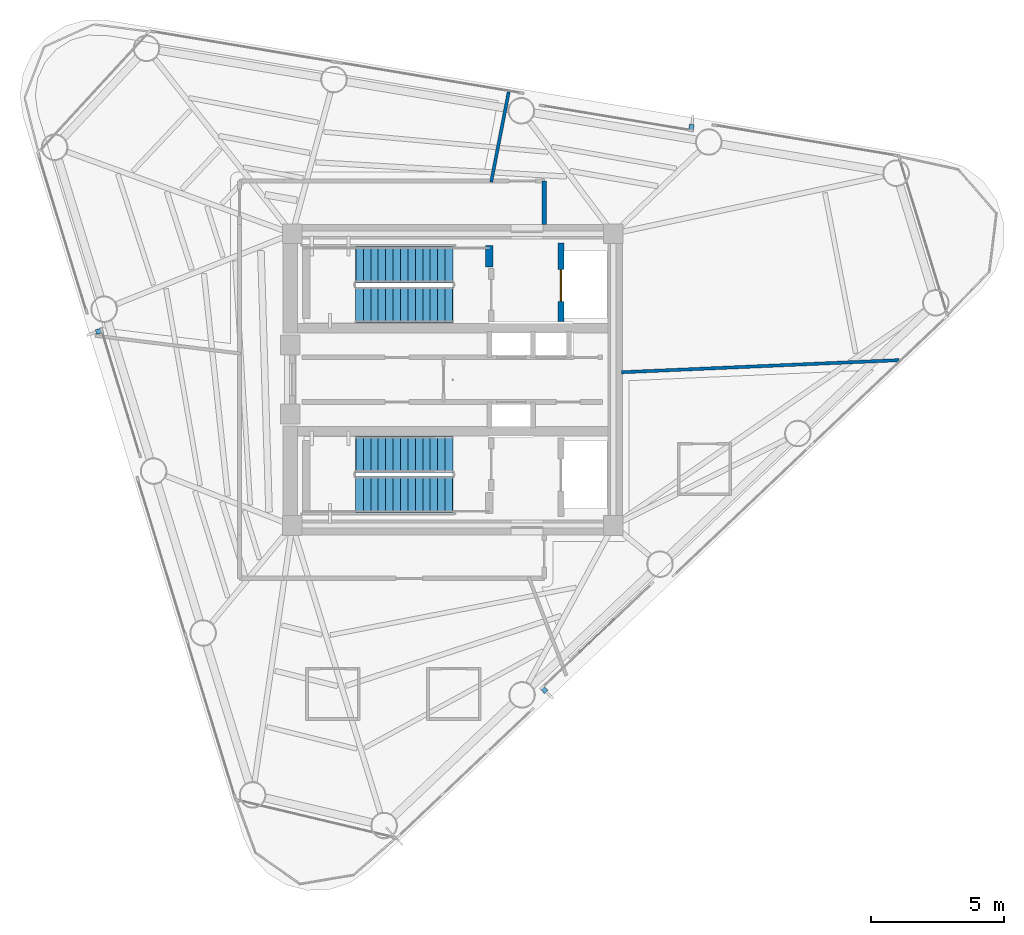
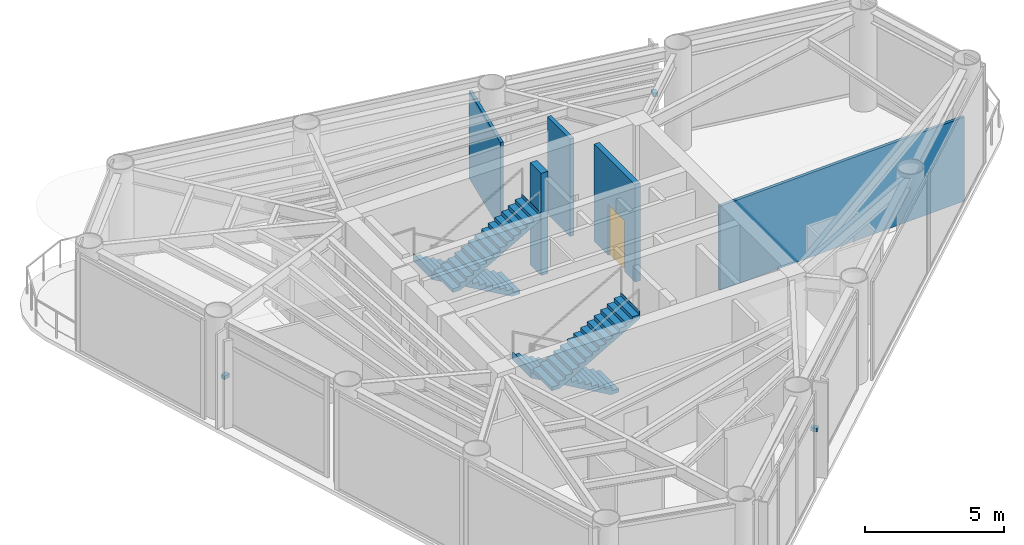
# One storey, part 7 of 11: 5 walls, 4 stair flights, 3 discrete accessories, 1 door, 1 opening, 2 elements without a shape of their own.
"""IFC4 building model written with IfcOpenShell, lengths in metres."""

import ifcopenshell
import ifcopenshell.guid

model = None  # the IFC model being written
_history = None  # IfcOwnerHistory: only IFC2X3 demands one
_inside = {}  # id of a spatial element -> (the spatial element, [elements in it])
_under = {}  # id of a project, library or spatial element -> (it, [spatial elements below it])
_declared = {}  # id of a project -> (the project, [libraries it declares])
_typed = {}  # id of a type object -> (the type object, [elements of that type])
_made_of = {}  # id of a material, layer set ... -> (it, [elements and type objects made of it])


def new_model(schema):
    """Start an empty IFC model of exactly this schema.

    Asked for "IFC4X3", IfcOpenShell would pick the latest addendum, in which some entities
    have other attributes; the version numbers below select the first issue.
    IFC2X3 requires an IfcOwnerHistory on every rooted entity: one is made here for all.
    """
    global model, _history
    if schema == "IFC4X3":
        model = ifcopenshell.file(schema_version=(4, 3, 0, 0))
    else:
        model = ifcopenshell.file(schema=schema)
    _inside.clear()
    _under.clear()
    _declared.clear()
    _typed.clear()
    _made_of.clear()
    _history = None
    if model.schema == "IFC2X3":
        org = make("IfcOrganization", Name="unknown")
        user = make(
            "IfcPersonAndOrganization",
            ThePerson=make("IfcPerson", FamilyName="unknown"),
            TheOrganization=org,
        )
        app = make(
            "IfcApplication",
            ApplicationDeveloper=org,
            Version="unknown",
            ApplicationFullName="unknown",
            ApplicationIdentifier="unknown",
        )
        _history = make(
            "IfcOwnerHistory",
            OwningUser=user,
            OwningApplication=app,
            ChangeAction="ADDED",
            CreationDate=0,
        )
    return model


def make(cls, **values):
    """One entity of the class cls with the attributes given. An attribute that is None is left unset."""
    return model.create_entity(
        cls, **{name: value for name, value in values.items() if value is not None}
    )


def rooted(cls, **values):
    """An entity with a GlobalId (a new one), such as an element, a storey or a relation."""
    return make(cls, GlobalId=ifcopenshell.guid.new(), OwnerHistory=_history, **values)


def si_unit(unit_type, name, prefix=None):
    """IfcSIUnit, for example si_unit("LENGTHUNIT", "METRE", prefix="MILLI")."""
    return make("IfcSIUnit", UnitType=unit_type, Prefix=prefix, Name=name)


def assignment(units):
    """IfcUnitAssignment: the units of a project."""
    return None if units is None else make("IfcUnitAssignment", Units=units)


def point(xyz):
    """IfcCartesianPoint."""
    return None if xyz is None else make("IfcCartesianPoint", Coordinates=xyz)


def direction(xyz):
    """IfcDirection."""
    return None if xyz is None else make("IfcDirection", DirectionRatios=xyz)


def frame(location, z_axis=None, x_axis=None):
    """IfcAxis2Placement3D, a coordinate frame: its origin and axes. An axis left out is left unset."""
    return make(
        "IfcAxis2Placement3D",
        Location=point(location),
        Axis=direction(z_axis),
        RefDirection=direction(x_axis),
    )


def frame_2d(location, x_axis=None):
    """IfcAxis2Placement2D, a coordinate frame in the plane: its origin and x axis."""
    return make(
        "IfcAxis2Placement2D", Location=point(location), RefDirection=direction(x_axis)
    )


def origin():
    """The frame at (0, 0, 0) with its axes left unset."""
    return frame((0.0, 0.0, 0.0))


def origin_2d():
    """The frame at (0, 0) in the plane with its x axis left unset."""
    return frame_2d((0.0, 0.0))


def place(relative_to, where):
    """IfcLocalPlacement: puts the frame where relative to a parent placement (None: the world)."""
    return make(
        "IfcLocalPlacement", PlacementRelTo=relative_to, RelativePlacement=where
    )


def context(
    kind, dimensions, precision=None, world=None, true_north=None, identifier=None
):
    """IfcGeometricRepresentationContext, for example the 3D "Model" context."""
    return make(
        "IfcGeometricRepresentationContext",
        ContextIdentifier=identifier,
        ContextType=kind,
        CoordinateSpaceDimension=dimensions,
        Precision=precision,
        WorldCoordinateSystem=world,
        TrueNorth=true_north,
    )


def subcontext(parent, identifier, kind, view, scale=None):
    """IfcGeometricRepresentationSubContext, for example "Body" below "Model"."""
    return make(
        "IfcGeometricRepresentationSubContext",
        ContextIdentifier=identifier,
        ContextType=kind,
        ParentContext=parent,
        TargetScale=scale,
        TargetView=view,
    )


def project(units=None, contexts=None):
    """IfcProject with its units and contexts."""
    return rooted(
        "IfcProject",
        Name="project",
        RepresentationContexts=contexts,
        UnitsInContext=assignment(units),
    )


def spatial(cls, under=None, at=None, **own):
    """A site, building, storey or space (cls), placed at a placement, below another one or the project."""
    s = rooted(cls, ObjectPlacement=at, **own)
    if under is not None:
        _under.setdefault(under.id(), (under, []))[1].append(s)
    return s


def polyline(points):
    """IfcPolyline through the points."""
    return make("IfcPolyline", Points=[point(p) for p in points])


def profile(cls, at=None, kind="AREA", **sizes):
    """A parametric profile (cls). Its sizes go by their IFC names, for example OverallWidth=200.0."""
    return make(cls, ProfileType=kind, Position=at, **sizes)


def rectangle(**sizes):
    """IfcRectangleProfileDef."""
    return profile("IfcRectangleProfileDef", **sizes)


def outline(outer, holes=None, kind="AREA"):
    """IfcArbitraryClosedProfileDef: a profile drawn as a closed curve; with holes, ...WithVoids."""
    if holes is None:
        return make("IfcArbitraryClosedProfileDef", ProfileType=kind, OuterCurve=outer)
    return make(
        "IfcArbitraryProfileDefWithVoids",
        ProfileType=kind,
        OuterCurve=outer,
        InnerCurves=holes,
    )


def extrude(swept, where, along, depth):
    """IfcExtrudedAreaSolid: the profile swept, set in the frame where, extruded along a direction by depth."""
    return make(
        "IfcExtrudedAreaSolid",
        SweptArea=swept,
        Position=where,
        ExtrudedDirection=direction(along),
        Depth=depth,
    )


def shape(context_of_items, identifier, shape_type, items):
    """IfcShapeRepresentation: the items that make up one representation, for example the "Body"."""
    return make(
        "IfcShapeRepresentation",
        ContextOfItems=context_of_items,
        RepresentationIdentifier=identifier,
        RepresentationType=shape_type,
        Items=items,
    )


def source(mapping_origin, context_of_items, identifier, shape_type, items):
    """IfcRepresentationMap: a shape defined once, which mapped items show again and again."""
    return make(
        "IfcRepresentationMap",
        MappingOrigin=mapping_origin,
        MappedRepresentation=shape(context_of_items, identifier, shape_type, items),
    )


def transform(
    local_origin,
    x_axis=None,
    y_axis=None,
    z_axis=None,
    scale=None,
    scale2=None,
    scale3=None,
    uniform=True,
):
    """IfcCartesianTransformationOperator3D, or its non-uniform kind. x_axis, y_axis, z_axis: its Axis1, 2, 3."""
    if uniform:
        return make(
            "IfcCartesianTransformationOperator3D",
            Axis1=direction(x_axis),
            Axis2=direction(y_axis),
            LocalOrigin=point(local_origin),
            Scale=scale,
            Axis3=direction(z_axis),
        )
    return make(
        "IfcCartesianTransformationOperator3DnonUniform",
        Axis1=direction(x_axis),
        Axis2=direction(y_axis),
        LocalOrigin=point(local_origin),
        Scale=scale,
        Axis3=direction(z_axis),
        Scale2=scale2,
        Scale3=scale3,
    )


def mapped(mapping_source, mapping_target):
    """IfcMappedItem: shows the shape of a source again, moved by a transform."""
    return make(
        "IfcMappedItem", MappingSource=mapping_source, MappingTarget=mapping_target
    )


def material(Name=None, Category=None):
    """IfcMaterial."""
    return make("IfcMaterial", Name=Name, Category=Category)


def layer(
    of_material, thickness, ventilated=None, Name=None, Category=None, Priority=None
):
    """IfcMaterialLayer: one layer of a wall or slab, of a material (None: an air gap)."""
    return make(
        "IfcMaterialLayer",
        Material=of_material,
        LayerThickness=thickness,
        IsVentilated=ventilated,
        Name=Name,
        Category=Category,
        Priority=Priority,
    )


def layer_set(layers, Name=None):
    """IfcMaterialLayerSet."""
    return make("IfcMaterialLayerSet", MaterialLayers=layers, LayerSetName=Name)


def made_of(thing, what):
    """Note that an element or type object is made of a material, layer set ...; save() writes the relation."""
    if what is not None:
        _made_of.setdefault(what.id(), (what, []))[1].append(thing)
    return thing


def type_object(cls, material=None, **own):
    """A type object (cls), such as IfcWallType, which elements share."""
    return made_of(rooted(cls, **own), material)


def element(
    cls,
    number,
    at=None,
    inside=None,
    cuts=None,
    type_object=None,
    material=None,
    context=None,
    identifier="Body",
    shape_type=None,
    held_by="IfcProductDefinitionShape",
    body=None,
    shapes=None,
    **own,
):
    """One element of the class cls, such as IfcWall. Its Tag is "e" and its number.

    at: its placement. inside: the storey or other place that contains it. cuts: it is an
    opening in that element (IfcRelVoidsElement). A single representation is given by context,
    identifier, shape_type and body (its items); several are given by shapes. held_by: the class
    of the entity that holds the representations. save() writes the other relations.
    """
    e = rooted(cls, Tag="e%d" % number, ObjectPlacement=at, **own)
    if body is not None:
        shapes = [shape(context, identifier, shape_type, body)]
    if shapes is not None:
        e.Representation = make(held_by, Representations=shapes)
    if inside is not None:
        _inside.setdefault(inside.id(), (inside, []))[1].append(e)
    if cuts is not None:
        rooted(
            "IfcRelVoidsElement", RelatingBuildingElement=cuts, RelatedOpeningElement=e
        )
    if type_object is not None:
        _typed.setdefault(type_object.id(), (type_object, []))[1].append(e)
    return made_of(e, material)


def fill(opening, filler):
    """IfcRelFillsElement: the door or window that sits in an opening."""
    return rooted(
        "IfcRelFillsElement",
        RelatingOpeningElement=opening,
        RelatedBuildingElement=filler,
    )


def aggregate(whole, parts):
    """IfcRelAggregates: a whole, such as a stair, and the parts it consists of."""
    return rooted("IfcRelAggregates", RelatingObject=whole, RelatedObjects=parts)


def save(model, path):
    """Write the relations noted so far, then the file.

    IfcRelAggregates (storeys below a building ...), IfcRelContainedInSpatialStructure (elements
    in a storey), IfcRelDefinesByType, IfcRelAssociatesMaterial and IfcRelDeclares: one each for
    every whole, place, type object, material and project.
    """
    for whole, parts in _under.values():
        aggregate(whole, parts)
    for where, things in _inside.values():
        rooted(
            "IfcRelContainedInSpatialStructure",
            RelatedElements=things,
            RelatingStructure=where,
        )
    for kind, things in _typed.values():
        rooted("IfcRelDefinesByType", RelatedObjects=things, RelatingType=kind)
    for what, things in _made_of.values():
        rooted("IfcRelAssociatesMaterial", RelatedObjects=things, RelatingMaterial=what)
    for by, libraries in _declared.values():
        rooted("IfcRelDeclares", RelatingContext=by, RelatedDefinitions=libraries)
    model.write(path)


model = new_model("IFC4")

# Units and contexts
model_context = context("Model", 3, precision=1e-05, world=origin(), true_north=direction((0.0, 1.0)))
body_context = subcontext(model_context, "Body", "Model", "MODEL_VIEW")
ifc_project = project(units=[si_unit("LENGTHUNIT", "METRE"), si_unit("AREAUNIT", "SQUARE_METRE"), si_unit("VOLUMEUNIT", "CUBIC_METRE"), si_unit("PLANEANGLEUNIT", "RADIAN"), si_unit("MASSUNIT", "GRAM", prefix="KILO")], contexts=[model_context])

# Site, building, storey
site_placement = place(None, origin())
site = spatial("IfcSite", under=ifc_project, at=site_placement, CompositionType="ELEMENT")
building_placement = place(site_placement, origin())
building = spatial("IfcBuilding", under=site, at=building_placement, Name="Yunling Apex Tower", CompositionType="ELEMENT")
storey_placement = place(building_placement, frame((0.0, 0.0, 224.14990234375)))
storey = spatial("IfcBuildingStorey", under=building, at=storey_placement, Name="L54", CompositionType="ELEMENT", Elevation=224.14990234375)

# Walls
ifc_material_1 = material(Name="Concrete C40", Category="concrete")
ifc_layer_1 = layer(ifc_material_1, 0.280029296875)
ifc_layer_set_1 = layer_set([ifc_layer_1], Name="Concrete C40")
wall_type_1 = type_object("IfcWallType", Name="WL-COR-8", PredefinedType="SHEAR", material=ifc_layer_set_1)
wall_1_placement = place(storey_placement, frame((1.3798828125, 4.25, 0.0), z_axis=(0.0, 0.0, 1.0), x_axis=(0.0, 1.0, 0.0)))
element("IfcWall", 1, at=wall_1_placement, inside=storey, type_object=wall_type_1, Name="L54 ST-1 East Landing Bearing Pier", PredefinedType="SHEAR", context=body_context, shape_type="SweptSolid", body=[
    extrude(rectangle(XDim=0.800048828125, YDim=0.280029296875, at=frame_2d((0.39990234375, 0.0))), origin(), (0.0, 0.0, 1.0), 4.5),
])
ifc_material_2 = material(Name="Gypsum board acoustic partition")
ifc_layer_2 = layer(ifc_material_2, 0.159912109375)
ifc_layer_set_2 = layer_set([ifc_layer_2], Name="Gypsum board acoustic partition")
wall_type_2 = type_object("IfcWallType", Name="WL-PRT-1", PredefinedType="PARTITIONING", material=ifc_layer_set_2)
wall_2_placement = place(storey_placement, frame((3.449951171875, 7.489990234375, 0.0), z_axis=(0.0, 0.0, 1.0), x_axis=(0.0, -1.0, 0.0)))
element("IfcWall", 2, at=wall_2_placement, inside=storey, type_object=wall_type_2, Name="WL-CORR-L54-04", PredefinedType="PARTITIONING", context=body_context, shape_type="SweptSolid", body=[
    extrude(rectangle(XDim=1.639892578125, YDim=0.159912109375, at=frame_2d((0.81982421875, 0.0))), origin(), (0.0, 0.0, 1.0), 4.300048828125),
])
ifc_layer_3 = layer(ifc_material_2, 0.1201171875)
ifc_layer_set_3 = layer_set([ifc_layer_3], Name="Gypsum board acoustic partition")
wall_type_3 = type_object("IfcWallType", Name="WL-PRT-3", PredefinedType="PARTITIONING", material=ifc_layer_set_3)
wall_3_placement = place(storey_placement, frame((6.360107421875, 0.277587890625, 0.0), z_axis=(0.0, 0.0, 1.0), x_axis=(0.999047873507, 0.043627358851, 0.0)))
element("IfcWall", 3, at=wall_3_placement, inside=storey, type_object=wall_type_3, Name="WL-RAD-L54-01", PredefinedType="PARTITIONING", context=body_context, shape_type="SweptSolid", body=[
    extrude(rectangle(XDim=10.475830078125, YDim=0.1201171875, at=frame_2d((5.23779296875, 0.0))), origin(), (0.0, 0.0, 1.0), 3.705078125),
])
wall_4_placement = place(storey_placement, frame((1.447998046875, 7.449951171875, 0.0), z_axis=(0.0, 0.0, 1.0), x_axis=(0.19085452876, 0.981618331558, 0.0)))
element("IfcWall", 4, at=wall_4_placement, inside=storey, type_object=wall_type_3, Name="WL-RAD-L54-02", PredefinedType="PARTITIONING", context=body_context, shape_type="SweptSolid", body=[
    extrude(rectangle(XDim=3.455078125, YDim=0.1201171875, at=frame_2d((1.7275390625, 0.0))), origin(), (0.0, 0.0, 1.0), 3.864990234375),
])

# Wall, opening, door
ifc_material_3 = material(Name="Autoclaved aerated concrete masonry", Category="masonry")
ifc_layer_4 = layer(ifc_material_3, 0.219970703125)
ifc_layer_set_4 = layer_set([ifc_layer_4], Name="Autoclaved aerated concrete masonry")
wall_type_4 = type_object("IfcWallType", Name="WL-SHF-1", PredefinedType="PLUMBINGWALL", material=ifc_layer_set_4)
wall_5_placement = place(storey_placement, frame((4.080078125, 2.199951171875, 0.0), z_axis=(0.0, 0.0, 1.0), x_axis=(0.0, 1.0, 0.0)))
wall_5 = element("IfcWall", 5, at=wall_5_placement, inside=storey, type_object=wall_type_4, Name="WL-FFL1-W-L54", PredefinedType="PLUMBINGWALL", context=body_context, shape_type="SweptSolid", body=[
    extrude(rectangle(XDim=2.949951171875, YDim=0.219970703125, at=frame_2d((1.47509765625, 0.0))), origin(), (0.0, 0.0, 1.0), 4.300048828125),
])
opening_placement = place(wall_5_placement, frame((0.75, 0.0, 0.0)))
opening = element("IfcOpeningElement", 6, at=opening_placement, cuts=wall_5, Name="Opening LD-FFL-1", PredefinedType="OPENING", context=body_context, shape_type="SweptSolid", body=[
    extrude(rectangle(XDim=1.199951171875, YDim=2.25, at=frame_2d((0.60009765625, 1.125))), frame((0.0, 0.1201171875, 0.0), z_axis=(0.0, -1.0, 0.0), x_axis=(1.0, 0.0, 0.0)), (0.0, 0.0, 1.0), 0.239990234375),
])
ifc_material_4 = material(Name="Steel Q355B", Category="steel")
door_type = type_object("IfcDoorType", Name="LD-FFL-1", OperationType="DOUBLE_DOOR_SLIDING", PredefinedType="DOOR", material=ifc_material_4)
door_placement = place(opening_placement, origin())
door = element("IfcDoor", 7, at=door_placement, inside=storey, type_object=door_type, Name="L54 Lift FFL-1 Landing Door", OperationType="DOUBLE_DOOR_SLIDING", OverallHeight=2.25, OverallWidth=1.199951171875, PredefinedType="DOOR", context=body_context, shape_type="SweptSolid", body=[
    extrude(rectangle(XDim=1.199951171875, YDim=2.25, at=frame_2d((0.60009765625, 1.125))), frame((0.0, 0.02490234375, 0.0), z_axis=(0.0, -1.0, 0.0), x_axis=(1.0, 0.0, 0.0)), (0.0, 0.0, 1.0), 0.050048828125),
])
fill(opening, door)

# Stair, stair flights
stair_type = type_object("IfcStairType", Name="ST-TWR-3", PredefinedType="HALF_TURN_STAIR", material=ifc_material_1)
stair_1_placement = place(storey_placement, origin())
stair_1 = element("IfcStair", 8, at=stair_1_placement, inside=storey, type_object=stair_type, Name="L54 North Core Smokeproof Exit Stair ST-1", PredefinedType="HALF_TURN_STAIR")
stair_flight_type = type_object("IfcStairFlightType", Name="SFL-TWR-3", PredefinedType="STRAIGHT", material=ifc_material_1)
stair_flight_1_placement = place(storey_placement, frame((-0.010009765625, 4.330078125, 0.0), z_axis=(0.0, 0.0, 1.0), x_axis=(-1.0, 0.0, 0.0)))
stair_flight_1 = element("IfcStairFlight", 9, at=stair_flight_1_placement, type_object=stair_flight_type, Name="ST-1 flight 1", NumberOfRisers=14, NumberOfTreads=13, PredefinedType="STRAIGHT", RiserHeight=0.160714286, TreadLength=0.28, context=body_context, shape_type="SweptSolid", body=[
    extrude(outline(polyline([(-0.011962890625, 0.0), (-0.011962890625, 0.16064453125), (0.0, 0.16064453125), (0.280029296875, 0.16064453125), (0.280029296875, 0.321533203125), (0.56005859375, 0.321533203125), (0.56005859375, 0.482177734375), (0.840087890625, 0.482177734375), (0.840087890625, 0.642822265625), (1.1201171875, 0.642822265625), (1.1201171875, 0.803466796875), (1.39990234375, 0.803466796875), (1.39990234375, 0.96435546875), (1.679931640625, 0.96435546875), (1.679931640625, 1.125), (1.9599609375, 1.125), (1.9599609375, 1.28564453125), (2.239990234375, 1.28564453125), (2.239990234375, 1.446533203125), (2.52001953125, 1.446533203125), (2.52001953125, 1.607177734375), (2.800048828125, 1.607177734375), (2.800048828125, 1.767822265625), (3.080078125, 1.767822265625), (3.080078125, 1.928466796875), (3.360107421875, 1.928466796875), (3.360107421875, 2.08935546875), (3.639892578125, 2.08935546875), (3.639892578125, 2.25), (3.652099609375, 2.25), (3.652099609375, 1.90478515625), (0.3212890625, 0.0), (-0.011962890625, 0.0)])), frame((0.0, 0.68017578125, 0.0), z_axis=(0.0, -1.0, 0.0), x_axis=(1.0, 0.0, 0.0)), (0.0, 0.0, 1.0), 1.360107421875),
])
stair_flight_2_placement = place(storey_placement, frame((-3.64990234375, 2.820068359375, 2.25), z_axis=(0.0, 0.0, 1.0), x_axis=(1.0, 0.0, 0.0)))
stair_flight_2 = element("IfcStairFlight", 10, at=stair_flight_2_placement, type_object=stair_flight_type, Name="ST-1 flight 2", NumberOfRisers=14, NumberOfTreads=13, PredefinedType="STRAIGHT", RiserHeight=0.160714286, TreadLength=0.28, context=body_context, shape_type="SweptSolid", body=[
    extrude(outline(polyline([(-0.011962890625, 0.0), (-0.011962890625, 0.16064453125), (0.0, 0.16064453125), (0.280029296875, 0.16064453125), (0.280029296875, 0.321533203125), (0.56005859375, 0.321533203125), (0.56005859375, 0.482177734375), (0.840087890625, 0.482177734375), (0.840087890625, 0.642822265625), (1.1201171875, 0.642822265625), (1.1201171875, 0.803466796875), (1.39990234375, 0.803466796875), (1.39990234375, 0.96435546875), (1.679931640625, 0.96435546875), (1.679931640625, 1.125), (1.9599609375, 1.125), (1.9599609375, 1.28564453125), (2.239990234375, 1.28564453125), (2.239990234375, 1.446533203125), (2.52001953125, 1.446533203125), (2.52001953125, 1.607177734375), (2.800048828125, 1.607177734375), (2.800048828125, 1.767822265625), (3.080078125, 1.767822265625), (3.080078125, 1.928466796875), (3.360107421875, 1.928466796875), (3.360107421875, 2.08935546875), (3.639892578125, 2.08935546875), (3.639892578125, 2.25), (3.652099609375, 2.25), (3.652099609375, 1.90478515625), (0.3212890625, 0.0), (-0.011962890625, 0.0)])), frame((0.0, 0.68017578125, 0.0), z_axis=(0.0, -1.0, 0.0), x_axis=(1.0, 0.0, 0.0)), (0.0, 0.0, 1.0), 1.360107421875),
])
aggregate(stair_1, [stair_flight_1, stair_flight_2])

stair_2_placement = place(storey_placement, origin())
stair_2 = element("IfcStair", 11, at=stair_2_placement, inside=storey, type_object=stair_type, Name="L54 South Core Smokeproof Exit Stair ST-2", PredefinedType="HALF_TURN_STAIR")
stair_flight_3_placement = place(storey_placement, frame((-0.010009765625, -2.820068359375, 0.0), z_axis=(0.0, 0.0, 1.0), x_axis=(-1.0, 0.0, 0.0)))
stair_flight_3 = element("IfcStairFlight", 12, at=stair_flight_3_placement, type_object=stair_flight_type, Name="ST-2 flight 1", NumberOfRisers=14, NumberOfTreads=13, PredefinedType="STRAIGHT", RiserHeight=0.160714286, TreadLength=0.28, context=body_context, shape_type="SweptSolid", body=[
    extrude(outline(polyline([(-0.011962890625, 0.0), (-0.011962890625, 0.16064453125), (0.0, 0.16064453125), (0.280029296875, 0.16064453125), (0.280029296875, 0.321533203125), (0.56005859375, 0.321533203125), (0.56005859375, 0.482177734375), (0.840087890625, 0.482177734375), (0.840087890625, 0.642822265625), (1.1201171875, 0.642822265625), (1.1201171875, 0.803466796875), (1.39990234375, 0.803466796875), (1.39990234375, 0.96435546875), (1.679931640625, 0.96435546875), (1.679931640625, 1.125), (1.9599609375, 1.125), (1.9599609375, 1.28564453125), (2.239990234375, 1.28564453125), (2.239990234375, 1.446533203125), (2.52001953125, 1.446533203125), (2.52001953125, 1.607177734375), (2.800048828125, 1.607177734375), (2.800048828125, 1.767822265625), (3.080078125, 1.767822265625), (3.080078125, 1.928466796875), (3.360107421875, 1.928466796875), (3.360107421875, 2.08935546875), (3.639892578125, 2.08935546875), (3.639892578125, 2.25), (3.652099609375, 2.25), (3.652099609375, 1.90478515625), (0.3212890625, 0.0), (-0.011962890625, 0.0)])), frame((0.0, 0.68017578125, 0.0), z_axis=(0.0, -1.0, 0.0), x_axis=(1.0, 0.0, 0.0)), (0.0, 0.0, 1.0), 1.360107421875),
])
stair_flight_4_placement = place(storey_placement, frame((-3.64990234375, -4.330078125, 2.25), z_axis=(0.0, 0.0, 1.0), x_axis=(1.0, 0.0, 0.0)))
stair_flight_4 = element("IfcStairFlight", 13, at=stair_flight_4_placement, type_object=stair_flight_type, Name="ST-2 flight 2", NumberOfRisers=14, NumberOfTreads=13, PredefinedType="STRAIGHT", RiserHeight=0.160714286, TreadLength=0.28, context=body_context, shape_type="SweptSolid", body=[
    extrude(outline(polyline([(-0.011962890625, 0.0), (-0.011962890625, 0.16064453125), (0.0, 0.16064453125), (0.280029296875, 0.16064453125), (0.280029296875, 0.321533203125), (0.56005859375, 0.321533203125), (0.56005859375, 0.482177734375), (0.840087890625, 0.482177734375), (0.840087890625, 0.642822265625), (1.1201171875, 0.642822265625), (1.1201171875, 0.803466796875), (1.39990234375, 0.803466796875), (1.39990234375, 0.96435546875), (1.679931640625, 0.96435546875), (1.679931640625, 1.125), (1.9599609375, 1.125), (1.9599609375, 1.28564453125), (2.239990234375, 1.28564453125), (2.239990234375, 1.446533203125), (2.52001953125, 1.446533203125), (2.52001953125, 1.607177734375), (2.800048828125, 1.607177734375), (2.800048828125, 1.767822265625), (3.080078125, 1.767822265625), (3.080078125, 1.928466796875), (3.360107421875, 1.928466796875), (3.360107421875, 2.08935546875), (3.639892578125, 2.08935546875), (3.639892578125, 2.25), (3.652099609375, 2.25), (3.652099609375, 1.90478515625), (0.3212890625, 0.0), (-0.011962890625, 0.0)])), frame((0.0, 0.68017578125, 0.0), z_axis=(0.0, -1.0, 0.0), x_axis=(1.0, 0.0, 0.0)), (0.0, 0.0, 1.0), 1.360107421875),
])
aggregate(stair_2, [stair_flight_3, stair_flight_4])

# Discrete accessories
discrete_accessory_type = type_object("IfcDiscreteAccessoryType", Name="BK-FIN-1", PredefinedType="BRACKET", material=ifc_material_4)
shared_shape = source(origin(), body_context, "Body", "SweptSolid", [
    extrude(rectangle(XDim=0.179931640625, YDim=0.260009765625, at=origin_2d()), origin(), (0.0, 0.0, 1.0), 0.159912109375),
])
for number, where, z_axis, x_axis, name in (
    (14, (3.43505859375, -11.679443359375, 2.080078125), (0.0, 0.0, 1.0), (0.725854756355, 0.687848001144, 0.0), "CW-L54-F1-B2-BRK-01-1"),
    (15, (8.98974609375, 9.491943359375, 2.080078125), (0.0, 0.0, 1.0), (-0.986400586142, 0.164359008451, 0.0), "CW-L54-F2-B2-BRK-01-1"),
    (16, (-13.32763671875, 1.82763671875, 2.080078125), (0.0, 0.0, 1.0), (0.292371704723, -0.956304755963, 0.0), "CW-L54-F3-B2-BRK-01-1"),
):
    element("IfcDiscreteAccessory", number, at=place(storey_placement, frame(where, z_axis=z_axis, x_axis=x_axis)), inside=storey, type_object=discrete_accessory_type, Name=name, PredefinedType="BRACKET", context=body_context, shape_type="MappedRepresentation", body=[
        mapped(shared_shape, transform((0.0, 0.0, 0.0), scale=1.0)),
    ])

save(model, "model.ifc")
